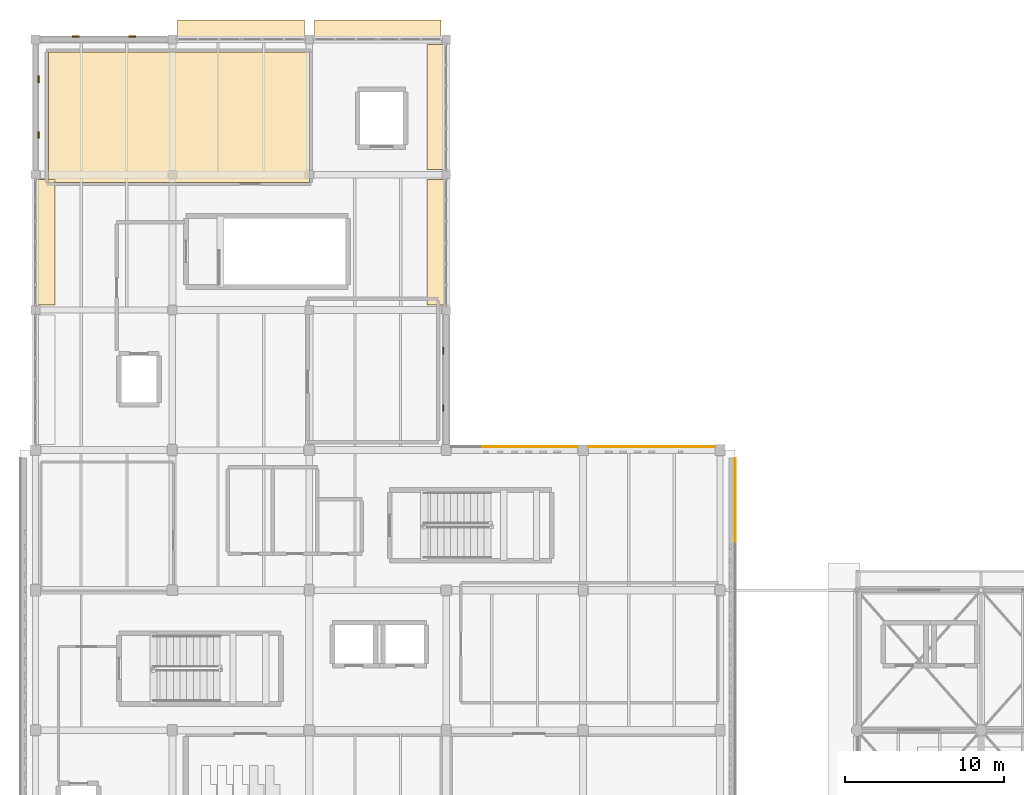
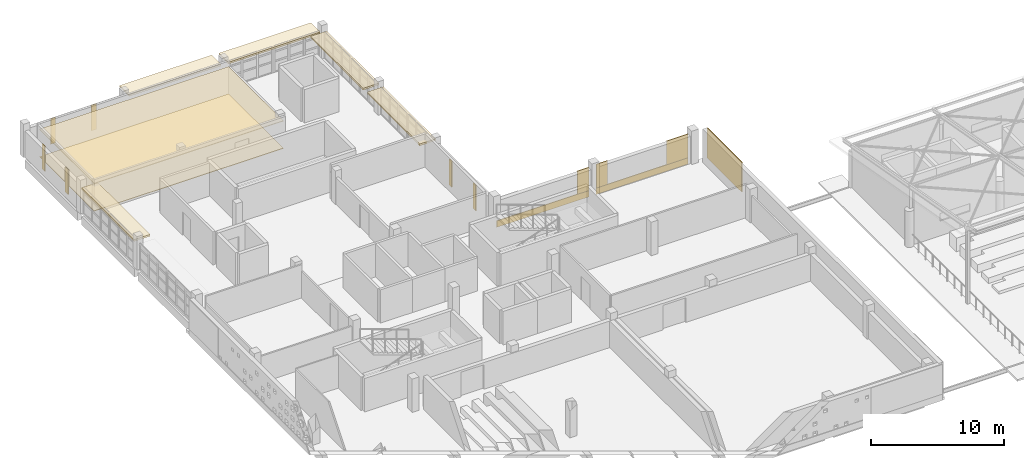
# One storey, part 33 of 34: 19 coverings.
"""IFC4 building model written with IfcOpenShell, lengths in metres."""

from ifc_helpers import new_model, si_unit, direction, frame, origin, origin_2d, place, context, subcontext, project, spatial, polyline, rectangle, outline, extrude, material, layer, layer_set, type_object, element, save


model = new_model("IFC4")

# Units and contexts
model_context = context("Model", 3, precision=1e-05, world=origin(), true_north=direction((0.0, 1.0)))
body_context = subcontext(model_context, "Body", "Model", "MODEL_VIEW")
ifc_project = project(units=[si_unit("LENGTHUNIT", "METRE"), si_unit("AREAUNIT", "SQUARE_METRE"), si_unit("VOLUMEUNIT", "CUBIC_METRE"), si_unit("PLANEANGLEUNIT", "RADIAN"), si_unit("MASSUNIT", "GRAM", prefix="KILO")], contexts=[model_context])

# Site, building, storey
site_placement = place(None, origin())
site = spatial("IfcSite", under=ifc_project, at=site_placement, CompositionType="ELEMENT")
building_placement = place(site_placement, origin())
building = spatial("IfcBuilding", under=site, at=building_placement, Name="Varnakota Cinema and Media Centre", CompositionType="ELEMENT")
storey_placement = place(building_placement, frame((0.0, 0.0, 19.050048828125)))
storey = spatial("IfcBuildingStorey", under=building, at=storey_placement, Name="L05", CompositionType="ELEMENT", Elevation=19.050048828125)

# Coverings
ifc_material_1 = material(Name="Autoclaved aerated concrete blockwork", Category="masonry")
ifc_layer_1 = layer(ifc_material_1, 0.06005859375)
ifc_layer_set_1 = layer_set([ifc_layer_1], Name="Autoclaved aerated concrete blockwork")
covering_type_1 = type_object("IfcCoveringType", Name="COV-ACOUST-CEIL-60", PredefinedType="CEILING", material=ifc_layer_set_1)
covering_1_placement = place(storey_placement, frame((0.0, 0.0, 2.5)))
element("IfcCovering", 1, at=covering_1_placement, inside=storey, type_object=covering_type_1, Name="L05 Master Playout and Editing Suite acoustic baffle ceiling", PredefinedType="CEILING", context=body_context, shape_type="SweptSolid", body=[
    extrude(outline(polyline([(0.800048828125, 52.0), (17.199951171875, 52.0), (17.199951171875, 60.199951171875), (0.800048828125, 60.199951171875), (0.800048828125, 52.0)])), origin(), (0.0, 0.0, 1.0), 0.06005859375),
])
ifc_material_2 = material(Name="Precast concrete M40", Category="concrete")
ifc_layer_2 = layer(ifc_material_2, 0.159912109375)
ifc_layer_set_2 = layer_set([ifc_layer_2], Name="Precast concrete M40")
covering_type_2 = type_object("IfcCoveringType", Name="COV-CHAJJA-160", PredefinedType="CLADDING", material=ifc_layer_set_2)
covering_2_placement = place(storey_placement, frame((0.0, 0.0, 2.3349609375)))
element("IfcCovering", 2, at=covering_2_placement, inside=storey, type_object=covering_type_2, Name="L05 Brutalist chajja overhang V5-E-2", PredefinedType="CLADDING", context=body_context, shape_type="SweptSolid", body=[
    extrude(outline(polyline([(25.97998046875, 44.31494140625), (25.97998046875, 52.18505859375), (24.580078125, 52.18505859375), (24.580078125, 44.31494140625), (25.97998046875, 44.31494140625)])), origin(), (0.0, 0.0, 1.0), 0.159912109375),
])
covering_3_placement = place(storey_placement, frame((0.0, 0.0, 2.284912109375)))
element("IfcCovering", 3, at=covering_3_placement, inside=storey, type_object=covering_type_2, Name="L05 Brutalist chajja overhang V5-E-3", PredefinedType="CLADDING", context=body_context, shape_type="SweptSolid", body=[
    extrude(outline(polyline([(25.97998046875, 52.81494140625), (25.97998046875, 60.68505859375), (24.580078125, 60.68505859375), (24.580078125, 52.81494140625), (25.97998046875, 52.81494140625)])), origin(), (0.0, 0.0, 1.0), 0.16015625),
])
covering_4_placement = place(storey_placement, frame((0.0, 0.0, 2.3349609375)))
element("IfcCovering", 4, at=covering_4_placement, inside=storey, type_object=covering_type_2, Name="L05 Brutalist chajja overhang V5-N-2", PredefinedType="CLADDING", context=body_context, shape_type="SweptSolid", body=[
    extrude(outline(polyline([(8.9150390625, 60.820068359375), (16.885009765625, 60.820068359375), (16.885009765625, 62.219970703125), (8.9150390625, 62.219970703125), (8.9150390625, 60.820068359375)])), origin(), (0.0, 0.0, 1.0), 0.159912109375),
])
covering_5_placement = place(storey_placement, frame((0.0, 0.0, 2.284912109375)))
element("IfcCovering", 5, at=covering_5_placement, inside=storey, type_object=covering_type_2, Name="L05 Brutalist chajja overhang V5-N-3", PredefinedType="CLADDING", context=body_context, shape_type="SweptSolid", body=[
    extrude(outline(polyline([(17.514892578125, 60.820068359375), (25.485107421875, 60.820068359375), (25.485107421875, 62.219970703125), (17.514892578125, 62.219970703125), (17.514892578125, 60.820068359375)])), origin(), (0.0, 0.0, 1.0), 0.16015625),
])
covering_6_placement = place(storey_placement, frame((0.0, 0.0, 2.23486328125)))
element("IfcCovering", 6, at=covering_6_placement, inside=storey, type_object=covering_type_2, Name="L05 Brutalist chajja overhang V5-W-2", PredefinedType="CLADDING", context=body_context, shape_type="SweptSolid", body=[
    extrude(outline(polyline([(-0.179931640625, 52.18505859375), (-0.179931640625, 44.31494140625), (1.219970703125, 44.31494140625), (1.219970703125, 52.18505859375), (-0.179931640625, 52.18505859375)])), origin(), (0.0, 0.0, 1.0), 0.16015625),
])
ifc_material_3 = material(Name="Deccan grey granite ashlar", Category="masonry")
ifc_layer_3 = layer(ifc_material_3, 0.044921875)
ifc_layer_set_3 = layer_set([ifc_layer_3], Name="Deccan grey granite ashlar")
covering_type_3 = type_object("IfcCoveringType", Name="COV-STUDIO-FLR-45", PredefinedType="FLOORING", material=ifc_layer_set_3)
covering_7_placement = place(storey_placement, origin())
element("IfcCovering", 7, at=covering_7_placement, inside=storey, type_object=covering_type_3, Name="L05 Master Playout and Editing Suite isolated studio floor finish", PredefinedType="FLOORING", context=body_context, shape_type="SweptSolid", body=[
    extrude(outline(polyline([(0.800048828125, 52.0), (17.199951171875, 52.0), (17.199951171875, 60.199951171875), (0.800048828125, 60.199951171875), (0.800048828125, 52.0)])), origin(), (0.0, 0.0, 1.0), 0.044921875),
])
ifc_material_4 = material(Name="Pale Tandur limestone cladding", Category="masonry")
ifc_layer_4 = layer(ifc_material_4, 0.06005859375)
ifc_layer_set_4 = layer_set([ifc_layer_4], Name="Pale Tandur limestone cladding")
covering_type_4 = type_object("IfcCoveringType", Name="COV-TANDUR-ASHLAR-60", PredefinedType="CLADDING", material=ifc_layer_set_4)
covering_8_placement = place(storey_placement, frame((43.945068359375, 32.074951171875, 0.330078125), z_axis=(0.0, 0.0, 1.0), x_axis=(0.0, -1.0, 0.0)))
element("IfcCovering", 8, at=covering_8_placement, inside=storey, type_object=covering_type_4, Name="L05 V4 pale Tandur stone left corner ashlar V4-E", PredefinedType="CLADDING", context=body_context, shape_type="SweptSolid", body=[
    extrude(rectangle(XDim=5.25, YDim=0.06005859375, at=origin_2d()), origin(), (0.0, 0.0, 1.0), 2.72998046875),
])
covering_9_placement = place(storey_placement, frame((30.08740234375, 35.405029296875, -0.25), z_axis=(0.0, 0.0, 1.0), x_axis=(1.0, 0.0, 0.0)))
element("IfcCovering", 9, at=covering_9_placement, inside=storey, type_object=covering_type_4, Name="L05 V4 pale Tandur stone spandrel ashlar V4-N-01", PredefinedType="CLADDING", context=body_context, shape_type="SweptSolid", body=[
    extrude(rectangle(XDim=7.97509765625, YDim=0.06005859375, at=origin_2d()), origin(), (0.0, 0.0, 1.0), 0.580078125),
])
covering_10_placement = place(storey_placement, frame((33.59130859375, 35.405029296875, 0.330078125), z_axis=(0.0, 0.0, 1.0), x_axis=(1.0, 0.0, 0.0)))
element("IfcCovering", 10, at=covering_10_placement, inside=storey, type_object=covering_type_4, Name="L05 V4 pale Tandur stone right corner ashlar V4-N-01", PredefinedType="CLADDING", context=body_context, shape_type="SweptSolid", body=[
    extrude(rectangle(XDim=0.967529296875, YDim=0.06005859375, at=origin_2d()), origin(), (0.0, 0.0, 1.0), 2.114990234375),
])
covering_11_placement = place(storey_placement, frame((38.71240234375, 35.405029296875, -0.25), z_axis=(0.0, 0.0, 1.0), x_axis=(1.0, 0.0, 0.0)))
element("IfcCovering", 11, at=covering_11_placement, inside=storey, type_object=covering_type_4, Name="L05 V4 pale Tandur stone spandrel ashlar V4-N-02", PredefinedType="CLADDING", context=body_context, shape_type="SweptSolid", body=[
    extrude(rectangle(XDim=7.97509765625, YDim=0.06005859375, at=origin_2d()), origin(), (0.0, 0.0, 1.0), 0.580078125),
])
covering_12_placement = place(storey_placement, frame((35.208740234375, 35.405029296875, 0.329833984375), z_axis=(0.0, 0.0, 1.0), x_axis=(1.0, 0.0, 0.0)))
element("IfcCovering", 12, at=covering_12_placement, inside=storey, type_object=covering_type_4, Name="L05 V4 pale Tandur stone left corner ashlar V4-N-02", PredefinedType="CLADDING", context=body_context, shape_type="SweptSolid", body=[
    extrude(rectangle(XDim=0.967529296875, YDim=0.06005859375, at=origin_2d()), origin(), (0.0, 0.0, 1.0), 2.1650390625),
])
covering_13_placement = place(storey_placement, frame((41.766357421875, 35.405029296875, 0.329833984375), z_axis=(0.0, 0.0, 1.0), x_axis=(1.0, 0.0, 0.0)))
element("IfcCovering", 13, at=covering_13_placement, inside=storey, type_object=covering_type_4, Name="L05 V4 pale Tandur stone right corner ashlar V4-N-02", PredefinedType="CLADDING", context=body_context, shape_type="SweptSolid", body=[
    extrude(rectangle(XDim=1.867431640625, YDim=0.06005859375, at=origin_2d()), origin(), (0.0, 0.0, 1.0), 2.1650390625),
])
for number, where, z_axis, x_axis, name in (
    (14, (25.614990234375, 37.839111328125, 0.06005859375), (0.0, 0.0, 1.0), (0.0, 1.0, 0.0), "L05 acoustic studio stone relief pilaster V5-E-1.1"),
    (15, (25.614990234375, 41.43603515625, 0.06005859375), (0.0, 0.0, 1.0), (0.0, 1.0, 0.0), "L05 acoustic studio stone relief pilaster V5-E-1.2"),
    (16, (2.529052734375, 61.18505859375, 0.06005859375), (0.0, 0.0, 1.0), (1.0, 0.0, 0.0), "L05 acoustic studio stone relief pilaster V5-N-1.1"),
    (17, (6.071044921875, 61.18505859375, 0.06005859375), (0.0, 0.0, 1.0), (1.0, 0.0, 0.0), "L05 acoustic studio stone relief pilaster V5-N-1.2"),
):
    element("IfcCovering", number, at=place(storey_placement, frame(where, z_axis=z_axis, x_axis=x_axis)), inside=storey, type_object=covering_type_4, Name=name, PredefinedType="CLADDING", context=body_context, shape_type="SweptSolid", body=[
        extrude(rectangle(XDim=0.419921875, YDim=0.080078125, at=origin_2d()), origin(), (0.0, 0.0, 1.0), 2.324951171875),
    ])
for number, where, z_axis, x_axis, name in (
    (18, (0.18505859375, 58.4990234375, 0.06005859375), (0.0, 0.0, 1.0), (0.0, -1.0, 0.0), "L05 acoustic studio stone relief pilaster V5-W-1.1"),
    (19, (0.18505859375, 55.0009765625, 0.06005859375), (0.0, 0.0, 1.0), (0.0, -1.0, 0.0), "L05 acoustic studio stone relief pilaster V5-W-1.2"),
):
    element("IfcCovering", number, at=place(storey_placement, frame(where, z_axis=z_axis, x_axis=x_axis)), inside=storey, type_object=covering_type_4, Name=name, PredefinedType="CLADDING", context=body_context, shape_type="SweptSolid", body=[
        extrude(rectangle(XDim=0.419921875, YDim=0.080078125, at=origin_2d()), origin(), (0.0, 0.0, 1.0), 2.27490234375),
    ])

save(model, "model.ifc")
